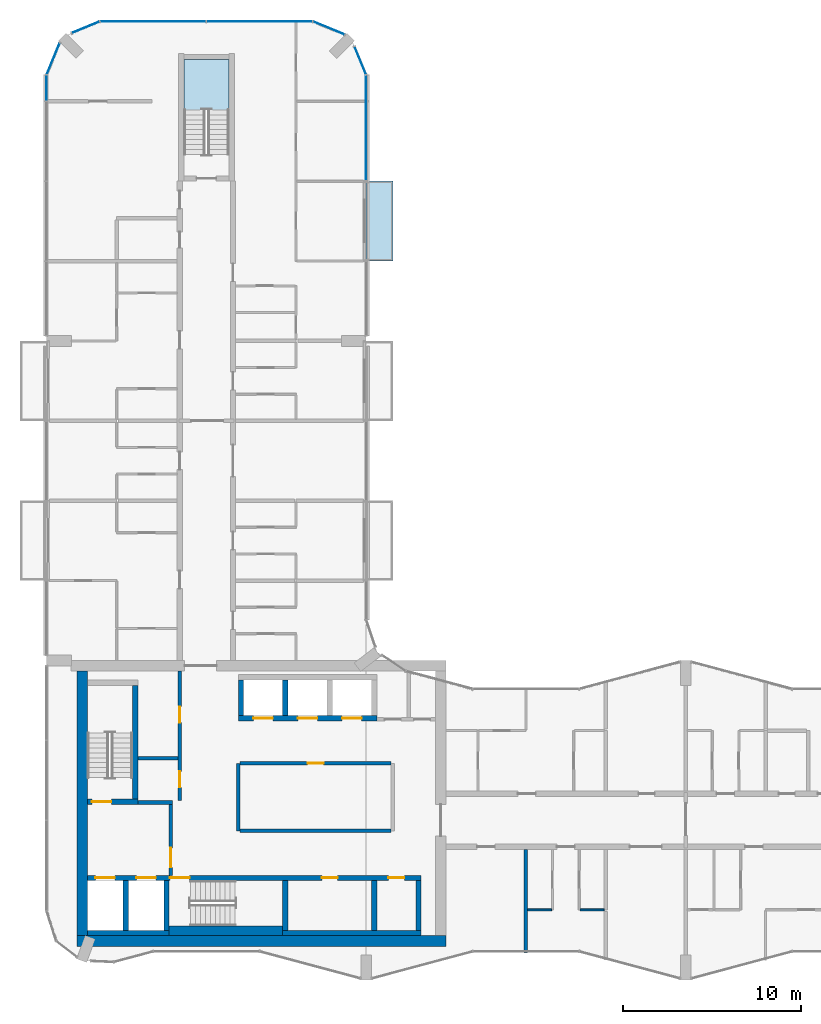
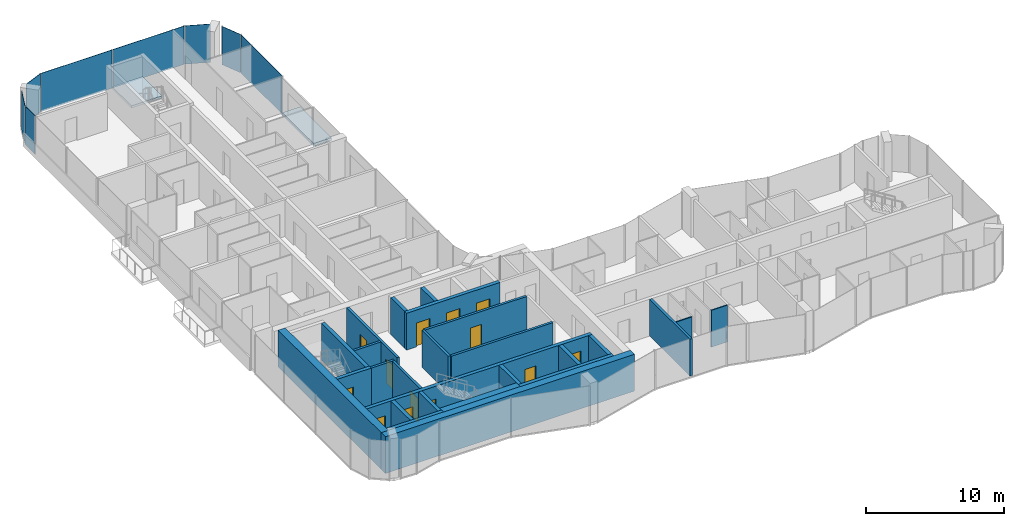
# One storey, part 9 of 17: 26 walls, 13 doors, 8 plates, 2 slabs, 13 openings, 8 elements without a shape of their own.
"""IFC4 building model written with IfcOpenShell, lengths in metres."""

from ifc_helpers import new_model, si_unit, direction, frame, frame_2d, origin, origin_2d, place, context, subcontext, project, spatial, polyline, rectangle, outline, extrude, material, layer, layer_set, type_object, element, fill, aggregate, save


model = new_model("IFC4")

# Units and contexts
model_context = context("Model", 3, precision=1e-05, world=origin(), true_north=direction((0.0, 1.0)))
body_context = subcontext(model_context, "Body", "Model", "MODEL_VIEW")
ifc_project = project(units=[si_unit("LENGTHUNIT", "METRE"), si_unit("AREAUNIT", "SQUARE_METRE"), si_unit("VOLUMEUNIT", "CUBIC_METRE"), si_unit("PLANEANGLEUNIT", "RADIAN"), si_unit("MASSUNIT", "GRAM", prefix="KILO")], contexts=[model_context])

# Site, building, storey
site_placement = place(None, origin())
site = spatial("IfcSite", under=ifc_project, at=site_placement, CompositionType="ELEMENT")
building_placement = place(site_placement, origin())
building = spatial("IfcBuilding", under=site, at=building_placement, Name="Plateau Cross Towers", CompositionType="ELEMENT")
storey_placement = place(building_placement, frame((0.0, 0.0, 142.89990234375)))
storey = spatial("IfcBuildingStorey", under=building, at=storey_placement, Name="L36", CompositionType="ELEMENT", Elevation=142.89990234375)

# Slab
ifc_material_1 = material(Name="Concrete C40/50", Category="concrete")
ifc_layer_1 = layer(ifc_material_1, 0.25)
ifc_layer_set_1 = layer_set([ifc_layer_1], Name="Concrete C40/50")
slab_type_1 = type_object("IfcSlabType", Name="Balcony slab 250", PredefinedType="FLOOR", material=ifc_layer_set_1)
slab_1_placement = place(storey_placement, frame((0.0, 0.0, -0.25)))
element("IfcSlab", 1, at=slab_1_placement, inside=storey, type_object=slab_type_1, Name="Balcony slab A-BAL-L36-05", PredefinedType="FLOOR", context=body_context, shape_type="SweptSolid", body=[
    extrude(outline(polyline([(19.5, 40.5), (19.5, 45.0), (18.0, 45.0), (18.0, 40.5), (19.5, 40.5)])), origin(), (0.0, 0.0, 1.0), 0.25),
])

# Curtain wall, plate
ifc_material_2 = material(Name="Dark low-iron glass", Category="glass")
ifc_layer_2 = layer(ifc_material_2, 0.239990234375)
ifc_layer_set_2 = layer_set([ifc_layer_2], Name="Dark low-iron glass")
curtain_wall_type = type_object("IfcCurtainWallType", Name="Curtain wall flush unitised CW-B", PredefinedType="NOTDEFINED", material=ifc_layer_set_2)
curtain_wall_1_placement = place(storey_placement, origin())
curtain_wall_1 = element("IfcCurtainWall", 2, at=curtain_wall_1_placement, inside=storey, type_object=curtain_wall_type, Name="ENV/A/L36/A180_450", PredefinedType="NOTDEFINED")
ifc_layer_3 = layer(ifc_material_2, 0.031982421875)
ifc_layer_set_3 = layer_set([ifc_layer_3], Name="Dark low-iron glass")
plate_type = type_object("IfcPlateType", Name="Glass panel 32 flush unitised", PredefinedType="CURTAIN_PANEL", material=ifc_layer_set_3)
plate_1_placement = place(storey_placement, frame((18.0, 48.0048828125, -0.1298828125), z_axis=(0.0, 0.0, 1.0), x_axis=(0.0, 1.0, 0.0)))
plate_1 = element("IfcPlate", 3, at=plate_1_placement, type_object=plate_type, Name="CW-B panel 1", PredefinedType="CURTAIN_PANEL", context=body_context, shape_type="SweptSolid", body=[
    extrude(rectangle(XDim=5.929931640625, YDim=0.031982421875, at=origin_2d()), origin(), (0.0, 0.0, 1.0), 3.3798828125),
])
aggregate(curtain_wall_1, [plate_1])

curtain_wall_2_placement = place(storey_placement, origin())
curtain_wall_2 = element("IfcCurtainWall", 4, at=curtain_wall_2_placement, inside=storey, type_object=curtain_wall_type, Name="ENV/A/L36/A180_510", PredefinedType="NOTDEFINED")
plate_2_placement = place(storey_placement, frame((17.66943359375, 51.79833984375, -0.1298828125), z_axis=(0.0, 0.0, 1.0), x_axis=(-0.382683612978, 0.923879457699, 0.0)))
plate_2 = element("IfcPlate", 5, at=plate_2_placement, type_object=plate_type, Name="CW-B panel 1", PredefinedType="CURTAIN_PANEL", context=body_context, shape_type="SweptSolid", body=[
    extrude(rectangle(XDim=1.668212890625, YDim=0.031982421875, at=origin_2d()), origin(), (0.0, 0.0, 1.0), 3.3798828125),
])
aggregate(curtain_wall_2, [plate_2])

curtain_wall_3_placement = place(storey_placement, origin())
curtain_wall_3 = element("IfcCurtainWall", 6, at=curtain_wall_3_placement, inside=storey, type_object=curtain_wall_type, Name="ENV/A/L36/A168_533", PredefinedType="NOTDEFINED")
plate_3_placement = place(storey_placement, frame((15.90283203125, 53.6259765625, -0.1298828125), z_axis=(0.0, 0.0, 1.0), x_axis=(-0.923879457699, 0.382683612978, 0.0)))
plate_3 = element("IfcPlate", 7, at=plate_3_placement, type_object=plate_type, Name="CW-B panel 1", PredefinedType="CURTAIN_PANEL", context=body_context, shape_type="SweptSolid", body=[
    extrude(rectangle(XDim=1.894775390625, YDim=0.031982421875, at=origin_2d()), origin(), (0.0, 0.0, 1.0), 3.3798828125),
])
aggregate(curtain_wall_3, [plate_3])

# Curtain wall, plates
curtain_wall_4_placement = place(storey_placement, origin())
curtain_wall_4 = element("IfcCurtainWall", 8, at=curtain_wall_4_placement, inside=storey, type_object=curtain_wall_type, Name="ENV/A/L36/A150_540", PredefinedType="NOTDEFINED")
plate_4_placement = place(storey_placement, frame((12.0, 54.0, -0.1298828125), z_axis=(0.0, 0.0, 1.0), x_axis=(-1.0, 0.0, 0.0)))
plate_4 = element("IfcPlate", 9, at=plate_4_placement, type_object=plate_type, Name="CW-B panel 1", PredefinedType="CURTAIN_PANEL", context=body_context, shape_type="SweptSolid", body=[
    extrude(rectangle(XDim=5.93994140625, YDim=0.031982421875, at=origin_2d()), origin(), (0.0, 0.0, 1.0), 3.3798828125),
])
plate_5_placement = place(storey_placement, frame((6.0, 54.0, -0.1298828125), z_axis=(0.0, 0.0, 1.0), x_axis=(-1.0, 0.0, 0.0)))
plate_5 = element("IfcPlate", 10, at=plate_5_placement, type_object=plate_type, Name="CW-B panel 2", PredefinedType="CURTAIN_PANEL", context=body_context, shape_type="SweptSolid", body=[
    extrude(rectangle(XDim=5.93994140625, YDim=0.031982421875, at=origin_2d()), origin(), (0.0, 0.0, 1.0), 3.3798828125),
])
aggregate(curtain_wall_4, [plate_4, plate_5])

# Curtain wall, plate
curtain_wall_5_placement = place(storey_placement, origin())
curtain_wall_5 = element("IfcCurtainWall", 11, at=curtain_wall_5_placement, inside=storey, type_object=curtain_wall_type, Name="ENV/A/L36/A30_540", PredefinedType="NOTDEFINED")
plate_6_placement = place(storey_placement, frame((2.20166015625, 53.66943359375, -0.1298828125), z_axis=(0.0, 0.0, 1.0), x_axis=(-0.923879457699, -0.382683612978, 0.0)))
plate_6 = element("IfcPlate", 12, at=plate_6_placement, type_object=plate_type, Name="CW-B panel 1", PredefinedType="CURTAIN_PANEL", context=body_context, shape_type="SweptSolid", body=[
    extrude(rectangle(XDim=1.668212890625, YDim=0.031982421875, at=origin_2d()), origin(), (0.0, 0.0, 1.0), 3.3798828125),
])
aggregate(curtain_wall_5, [plate_6])

curtain_wall_6_placement = place(storey_placement, origin())
curtain_wall_6 = element("IfcCurtainWall", 13, at=curtain_wall_6_placement, inside=storey, type_object=curtain_wall_type, Name="ENV/A/L36/A7_528", PredefinedType="NOTDEFINED")
plate_7_placement = place(storey_placement, frame((0.3740234375, 51.90283203125, -0.1298828125), z_axis=(0.0, 0.0, 1.0), x_axis=(-0.382683612978, -0.923879457699, 0.0)))
plate_7 = element("IfcPlate", 14, at=plate_7_placement, type_object=plate_type, Name="CW-B panel 1", PredefinedType="CURTAIN_PANEL", context=body_context, shape_type="SweptSolid", body=[
    extrude(rectangle(XDim=1.894775390625, YDim=0.031982421875, at=origin_2d()), origin(), (0.0, 0.0, 1.0), 3.3798828125),
])
aggregate(curtain_wall_6, [plate_7])

curtain_wall_7_placement = place(storey_placement, origin())
curtain_wall_7 = element("IfcCurtainWall", 15, at=curtain_wall_7_placement, inside=storey, type_object=curtain_wall_type, Name="ENV/A/L36/A0_510", PredefinedType="NOTDEFINED")
plate_8_placement = place(storey_placement, frame((0.0, 50.25, -0.1298828125), z_axis=(0.0, 0.0, 1.0), x_axis=(0.0, -1.0, 0.0)))
plate_8 = element("IfcPlate", 16, at=plate_8_placement, type_object=plate_type, Name="CW-B panel 1", PredefinedType="CURTAIN_PANEL", context=body_context, shape_type="SweptSolid", body=[
    extrude(rectangle(XDim=1.43994140625, YDim=0.031982421875, at=origin_2d()), origin(), (0.0, 0.0, 1.0), 3.3798828125),
])
aggregate(curtain_wall_7, [plate_8])

# Stair, slab
stair_type = type_object("IfcStairType", Name="ST-TWR", PredefinedType="HALF_TURN_STAIR", material=ifc_material_1)
stair_placement = place(storey_placement, origin())
stair = element("IfcStair", 17, at=stair_placement, inside=storey, type_object=stair_type, Name="L36 Protected Exit Stair N", PredefinedType="HALF_TURN_STAIR")
ifc_layer_4 = layer(ifc_material_1, 0.199951171875)
ifc_layer_set_4 = layer_set([ifc_layer_4], Name="Concrete C40/50")
slab_type_2 = type_object("IfcSlabType", Name="SL-LANDING", PredefinedType="LANDING", material=ifc_layer_set_4)
slab_2_placement = place(storey_placement, frame((0.0, 0.0, 1.550048828125)))
slab_2 = element("IfcSlab", 18, at=slab_2_placement, type_object=slab_type_2, Name="ES-N landing 1", PredefinedType="LANDING", context=body_context, shape_type="SweptSolid", body=[
    extrude(outline(polyline([(10.27490234375, 49.02001953125), (10.27490234375, 51.85009765625), (7.72509765625, 51.85009765625), (7.72509765625, 49.02001953125), (10.27490234375, 49.02001953125)])), origin(), (0.0, 0.0, 1.0), 0.199951171875),
])
aggregate(stair, [slab_2])

# Wall, opening, door
ifc_material_3 = material(Name="Concrete block, plastered both sides", Category="concrete")
ifc_layer_5 = layer(ifc_material_3, 0.199951171875)
ifc_layer_set_5 = layer_set([ifc_layer_5], Name="Concrete block, plastered both sides")
wall_type_1 = type_object("IfcWallType", Name="Core partition 200", PredefinedType="PARTITIONING", material=ifc_layer_set_5)
wall_1_placement = place(storey_placement, frame((7.0, 5.89990234375, 0.0), z_axis=(0.0, 0.0, 1.0), x_axis=(0.0, 1.0, 0.0)))
wall_1 = element("IfcWall", 19, at=wall_1_placement, inside=storey, type_object=wall_type_1, Name="Core partition", PredefinedType="PARTITIONING", context=body_context, shape_type="SweptSolid", body=[
    extrude(rectangle(XDim=4.0, YDim=0.199951171875, at=frame_2d((2.0, 0.0))), origin(), (0.0, 0.0, 1.0), 3.25),
])
opening_1_placement = place(wall_1_placement, frame((0.449951171875, 0.0, 0.0)))
opening_1 = element("IfcOpeningElement", 20, at=opening_1_placement, cuts=wall_1, Name="Opening FFD", PredefinedType="OPENING", context=body_context, shape_type="SweptSolid", body=[
    extrude(rectangle(XDim=1.10009765625, YDim=2.10009765625, at=frame_2d((0.550048828125, 1.050048828125))), frame((0.0, 0.10986328125, 0.0), z_axis=(0.0, -1.0, 0.0), x_axis=(1.0, 0.0, 0.0)), (0.0, 0.0, 1.0), 0.219970703125),
])
ifc_material_4 = material(Name="Steel, fire-resisting leaf", Category="steel")
door_type_1 = type_object("IfcDoorType", Name="Firefighting lobby door 1100", OperationType="NOTDEFINED", PredefinedType="DOOR", material=ifc_material_4)
door_1_placement = place(opening_1_placement, origin())
door_1 = element("IfcDoor", 21, at=door_1_placement, inside=storey, type_object=door_type_1, Name="Firefighting lobby door FFD", OperationType="SINGLE_SWING_LEFT", OverallHeight=2.10009765625, OverallWidth=1.10009765625, PredefinedType="DOOR", context=body_context, shape_type="SweptSolid", body=[
    extrude(rectangle(XDim=1.10009765625, YDim=2.10009765625, at=frame_2d((0.550048828125, 1.050048828125))), frame((0.0, 0.02490234375, 0.0), z_axis=(0.0, -1.0, 0.0), x_axis=(1.0, 0.0, 0.0)), (0.0, 0.0, 1.0), 0.050048828125),
])
fill(opening_1, door_1)

# Walls
wall_2_placement = place(storey_placement, frame((5.14990234375, 10.0, 0.0), z_axis=(0.0, 0.0, 1.0), x_axis=(1.0, 0.0, 0.0)))
element("IfcWall", 22, at=wall_2_placement, inside=storey, type_object=wall_type_1, Name="Core partition", PredefinedType="PARTITIONING", context=body_context, shape_type="SweptSolid", body=[
    extrude(rectangle(XDim=1.9501953125, YDim=0.199951171875, at=frame_2d((0.97509765625, 0.0))), origin(), (0.0, 0.0, 1.0), 3.25),
])
wall_3_placement = place(storey_placement, frame((10.800048828125, 8.39990234375, 0.0), z_axis=(0.0, 0.0, 1.0), x_axis=(0.0, 1.0, 0.0)))
element("IfcWall", 23, at=wall_3_placement, inside=storey, type_object=wall_type_1, Name="Core partition", PredefinedType="PARTITIONING", context=body_context, shape_type="SweptSolid", body=[
    extrude(rectangle(XDim=3.800048828125, YDim=0.199951171875, at=frame_2d((1.89990234375, 0.0))), origin(), (0.0, 0.0, 1.0), 3.25),
])
wall_4_placement = place(storey_placement, frame((10.89990234375, 8.39990234375, 0.0), z_axis=(0.0, 0.0, 1.0), x_axis=(1.0, 0.0, 0.0)))
element("IfcWall", 24, at=wall_4_placement, inside=storey, type_object=wall_type_1, Name="Core partition", PredefinedType="PARTITIONING", context=body_context, shape_type="SweptSolid", body=[
    extrude(rectangle(XDim=8.5, YDim=0.199951171875, at=frame_2d((4.25, 0.0))), origin(), (0.0, 0.0, 1.0), 3.25),
])

# Wall, opening, door
wall_5_placement = place(storey_placement, frame((10.89990234375, 12.199951171875, 0.0), z_axis=(0.0, 0.0, 1.0), x_axis=(1.0, 0.0, 0.0)))
wall_5 = element("IfcWall", 25, at=wall_5_placement, inside=storey, type_object=wall_type_1, Name="Core partition", PredefinedType="PARTITIONING", context=body_context, shape_type="SweptSolid", body=[
    extrude(rectangle(XDim=8.5, YDim=0.199951171875, at=frame_2d((4.25, 0.0))), origin(), (0.0, 0.0, 1.0), 3.25),
])
opening_2_placement = place(wall_5_placement, frame((3.800048828125, 0.0, 0.0)))
opening_2 = element("IfcOpeningElement", 26, at=opening_2_placement, cuts=wall_5, Name="Opening RD1", PredefinedType="OPENING", context=body_context, shape_type="SweptSolid", body=[
    extrude(rectangle(XDim=0.89990234375, YDim=2.10009765625, at=frame_2d((0.449951171875, 1.050048828125))), frame((0.0, 0.10986328125, 0.0), z_axis=(0.0, -1.0, 0.0), x_axis=(1.0, 0.0, 0.0)), (0.0, 0.0, 1.0), 0.219970703125),
])
ifc_material_5 = material(Name="Timber, fire-resisting leaf", Category="wood")
door_type_2 = type_object("IfcDoorType", Name="Core service door 900", OperationType="NOTDEFINED", PredefinedType="DOOR", material=ifc_material_5)
door_2_placement = place(opening_2_placement, origin())
door_2 = element("IfcDoor", 27, at=door_2_placement, inside=storey, type_object=door_type_2, Name="Core service door RD1", OperationType="SINGLE_SWING_LEFT", OverallHeight=2.10009765625, OverallWidth=0.89990234375, PredefinedType="DOOR", context=body_context, shape_type="SweptSolid", body=[
    extrude(rectangle(XDim=0.89990234375, YDim=2.10009765625, at=frame_2d((0.449951171875, 1.050048828125))), frame((0.0, 0.02490234375, 0.0), z_axis=(0.0, -1.0, 0.0), x_axis=(1.0, 0.0, 0.0)), (0.0, 0.0, 1.0), 0.050048828125),
])
fill(opening_2, door_2)

# Wall, openings, doors
wall_6_placement = place(storey_placement, frame((7.5, 10.10009765625, 0.0), z_axis=(0.0, 0.0, 1.0), x_axis=(0.0, 1.0, 0.0)))
wall_6 = element("IfcWall", 28, at=wall_6_placement, inside=storey, type_object=wall_type_1, Name="Core partition", PredefinedType="PARTITIONING", context=body_context, shape_type="SweptSolid", body=[
    extrude(rectangle(XDim=7.2998046875, YDim=0.199951171875, at=frame_2d((3.64990234375, 0.0))), origin(), (0.0, 0.0, 1.0), 3.25),
])
opening_3_placement = place(wall_6_placement, frame((0.75, 0.0, 0.0)))
opening_3 = element("IfcOpeningElement", 29, at=opening_3_placement, cuts=wall_6, Name="Opening RD1", PredefinedType="OPENING", context=body_context, shape_type="SweptSolid", body=[
    extrude(rectangle(XDim=0.89990234375, YDim=2.10009765625, at=frame_2d((0.449951171875, 1.050048828125))), frame((0.0, 0.10986328125, 0.0), z_axis=(0.0, -1.0, 0.0), x_axis=(1.0, 0.0, 0.0)), (0.0, 0.0, 1.0), 0.219970703125),
])
opening_4_placement = place(wall_6_placement, frame((4.39990234375, 0.0, 0.0)))
opening_4 = element("IfcOpeningElement", 30, at=opening_4_placement, cuts=wall_6, Name="Opening RD1", PredefinedType="OPENING", context=body_context, shape_type="SweptSolid", body=[
    extrude(rectangle(XDim=0.89990234375, YDim=2.10009765625, at=frame_2d((0.449951171875, 1.050048828125))), frame((0.0, 0.10986328125, 0.0), z_axis=(0.0, -1.0, 0.0), x_axis=(1.0, 0.0, 0.0)), (0.0, 0.0, 1.0), 0.219970703125),
])
door_3_placement = place(opening_3_placement, origin())
door_3 = element("IfcDoor", 31, at=door_3_placement, inside=storey, type_object=door_type_2, Name="Core service door RD1", OperationType="SINGLE_SWING_RIGHT", OverallHeight=2.10009765625, OverallWidth=0.89990234375, PredefinedType="DOOR", context=body_context, shape_type="SweptSolid", body=[
    extrude(rectangle(XDim=0.89990234375, YDim=2.10009765625, at=frame_2d((0.449951171875, 1.050048828125))), frame((0.0, 0.02490234375, 0.0), z_axis=(0.0, -1.0, 0.0), x_axis=(1.0, 0.0, 0.0)), (0.0, 0.0, 1.0), 0.050048828125),
])
fill(opening_3, door_3)
door_4_placement = place(opening_4_placement, origin())
door_4 = element("IfcDoor", 32, at=door_4_placement, inside=storey, type_object=door_type_2, Name="Core service door RD1", OperationType="SINGLE_SWING_RIGHT", OverallHeight=2.10009765625, OverallWidth=0.89990234375, PredefinedType="DOOR", context=body_context, shape_type="SweptSolid", body=[
    extrude(rectangle(XDim=0.89990234375, YDim=2.10009765625, at=frame_2d((0.449951171875, 1.050048828125))), frame((0.0, 0.02490234375, 0.0), z_axis=(0.0, -1.0, 0.0), x_axis=(1.0, 0.0, 0.0)), (0.0, 0.0, 1.0), 0.050048828125),
])
fill(opening_4, door_4)

# Walls
wall_7_placement = place(storey_placement, frame((5.14990234375, 12.5, 0.0), z_axis=(0.0, 0.0, 1.0), x_axis=(1.0, 0.0, 0.0)))
element("IfcWall", 33, at=wall_7_placement, inside=storey, type_object=wall_type_1, Name="Core partition", PredefinedType="PARTITIONING", context=body_context, shape_type="SweptSolid", body=[
    extrude(rectangle(XDim=2.25, YDim=0.199951171875, at=frame_2d((1.125, 0.0))), origin(), (0.0, 0.0, 1.0), 3.25),
])
ifc_material_6 = material(Name="Concrete C60/75", Category="concrete")
ifc_layer_6 = layer(ifc_material_6, 0.300048828125)
ifc_layer_set_6 = layer_set([ifc_layer_6], Name="Concrete C60/75")
wall_type_2 = type_object("IfcWallType", Name="Core shaft wall 300", PredefinedType="SHEAR", material=ifc_layer_set_6)
wall_8_placement = place(storey_placement, frame((2.300048828125, 2.64990234375, 0.0), z_axis=(0.0, 0.0, 1.0), x_axis=(1.0, 0.0, 0.0)))
element("IfcWall", 34, at=wall_8_placement, inside=storey, type_object=wall_type_2, Name="A-sb-back1@L36", PredefinedType="SHEAR", context=body_context, shape_type="SweptSolid", body=[
    extrude(rectangle(XDim=4.599853515625, YDim=0.300048828125, at=frame_2d((2.2998046875, 0.0))), origin(), (0.0, 0.0, 1.0), 3.25),
])
wall_9_placement = place(storey_placement, frame((13.300048828125, 2.64990234375, 0.0), z_axis=(0.0, 0.0, 1.0), x_axis=(1.0, 0.0, 0.0)))
element("IfcWall", 35, at=wall_9_placement, inside=storey, type_object=wall_type_2, Name="A-sb-back3@L36", PredefinedType="SHEAR", context=body_context, shape_type="SweptSolid", body=[
    extrude(rectangle(XDim=7.800048828125, YDim=0.300048828125, at=frame_2d((3.89990234375, 0.0))), origin(), (0.0, 0.0, 1.0), 3.25),
])
for number, where, z_axis, x_axis, name in (
    (36, (4.449951171875, 2.800048828125, 0.0), (0.0, 0.0, 1.0), (0.0, 1.0, 0.0), "A-sb-v1@L36"),
    (37, (6.75, 2.800048828125, 0.0), (0.0, 0.0, 1.0), (0.0, 1.0, 0.0), "A-sb-v2@L36"),
    (38, (13.449951171875, 2.800048828125, 0.0), (0.0, 0.0, 1.0), (0.0, 1.0, 0.0), "A-sb-v3@L36"),
    (39, (18.449951171875, 2.800048828125, 0.0), (0.0, 0.0, 1.0), (0.0, 1.0, 0.0), "A-sb-v5@L36"),
    (40, (20.949951171875, 2.800048828125, 0.0), (0.0, 0.0, 1.0), (0.0, 1.0, 0.0), "A-sb-v6@L36"),
):
    element("IfcWall", number, at=place(storey_placement, frame(where, z_axis=z_axis, x_axis=x_axis)), inside=storey, type_object=wall_type_2, Name=name, PredefinedType="SHEAR", context=body_context, shape_type="SweptSolid", body=[
        extrude(rectangle(XDim=2.800048828125, YDim=0.300048828125, at=frame_2d((1.39990234375, 0.0))), origin(), (0.0, 0.0, 1.0), 3.25),
    ])

# Wall, openings, doors
wall_10_placement = place(storey_placement, frame((2.300048828125, 5.75, 0.0), z_axis=(0.0, 0.0, 1.0), x_axis=(1.0, 0.0, 0.0)))
wall_10 = element("IfcWall", 41, at=wall_10_placement, inside=storey, type_object=wall_type_2, Name="A-sb-front@L36", PredefinedType="SHEAR", context=body_context, shape_type="SweptSolid", body=[
    extrude(rectangle(XDim=18.800048828125, YDim=0.300048828125, at=frame_2d((9.39990234375, 0.0))), origin(), (0.0, 0.0, 1.0), 3.25),
])
opening_5_placement = place(wall_10_placement, frame((4.64990234375, 0.0, 0.0)))
opening_5 = element("IfcOpeningElement", 42, at=opening_5_placement, cuts=wall_10, Name="Opening SD", PredefinedType="OPENING", context=body_context, shape_type="SweptSolid", body=[
    extrude(rectangle(XDim=1.10009765625, YDim=2.10009765625, at=frame_2d((0.550048828125, 1.050048828125))), frame((0.0, 0.159912109375, 0.0), z_axis=(0.0, -1.0, 0.0), x_axis=(1.0, 0.0, 0.0)), (0.0, 0.0, 1.0), 0.320068359375),
])
opening_6_placement = place(wall_10_placement, frame((0.449951171875, 0.0, 0.0)))
opening_6 = element("IfcOpeningElement", 43, at=opening_6_placement, cuts=wall_10, Name="Opening LD", PredefinedType="OPENING", context=body_context, shape_type="SweptSolid", body=[
    extrude(rectangle(XDim=1.10009765625, YDim=2.10009765625, at=frame_2d((0.550048828125, 1.050048828125))), frame((0.0, 0.159912109375, 0.0), z_axis=(0.0, -1.0, 0.0), x_axis=(1.0, 0.0, 0.0)), (0.0, 0.0, 1.0), 0.320068359375),
])
opening_7_placement = place(wall_10_placement, frame((2.75, 0.0, 0.0)))
opening_7 = element("IfcOpeningElement", 44, at=opening_7_placement, cuts=wall_10, Name="Opening LD", PredefinedType="OPENING", context=body_context, shape_type="SweptSolid", body=[
    extrude(rectangle(XDim=1.10009765625, YDim=2.10009765625, at=frame_2d((0.550048828125, 1.050048828125))), frame((0.0, 0.159912109375, 0.0), z_axis=(0.0, -1.0, 0.0), x_axis=(1.0, 0.0, 0.0)), (0.0, 0.0, 1.0), 0.320068359375),
])
opening_8_placement = place(wall_10_placement, frame((13.199951171875, 0.0, 0.0)))
opening_8 = element("IfcOpeningElement", 45, at=opening_8_placement, cuts=wall_10, Name="Opening RD2", PredefinedType="OPENING", context=body_context, shape_type="SweptSolid", body=[
    extrude(rectangle(XDim=0.89990234375, YDim=2.10009765625, at=frame_2d((0.449951171875, 1.050048828125))), frame((0.0, 0.159912109375, 0.0), z_axis=(0.0, -1.0, 0.0), x_axis=(1.0, 0.0, 0.0)), (0.0, 0.0, 1.0), 0.320068359375),
])
opening_9_placement = place(wall_10_placement, frame((16.949951171875, 0.0, 0.0)))
opening_9 = element("IfcOpeningElement", 46, at=opening_9_placement, cuts=wall_10, Name="Opening RD2", PredefinedType="OPENING", context=body_context, shape_type="SweptSolid", body=[
    extrude(rectangle(XDim=0.89990234375, YDim=2.10009765625, at=frame_2d((0.449951171875, 1.050048828125))), frame((0.0, 0.159912109375, 0.0), z_axis=(0.0, -1.0, 0.0), x_axis=(1.0, 0.0, 0.0)), (0.0, 0.0, 1.0), 0.320068359375),
])
door_type_3 = type_object("IfcDoorType", Name="Core riser door 900", OperationType="NOTDEFINED", PredefinedType="DOOR", material=ifc_material_4)
door_5_placement = place(opening_8_placement, origin())
door_5 = element("IfcDoor", 47, at=door_5_placement, inside=storey, type_object=door_type_3, Name="Core riser door RD2", OperationType="SINGLE_SWING_LEFT", OverallHeight=2.10009765625, OverallWidth=0.89990234375, PredefinedType="DOOR", context=body_context, shape_type="SweptSolid", body=[
    extrude(rectangle(XDim=0.89990234375, YDim=2.10009765625, at=frame_2d((0.449951171875, 1.050048828125))), frame((0.0, 0.02490234375, 0.0), z_axis=(0.0, -1.0, 0.0), x_axis=(1.0, 0.0, 0.0)), (0.0, 0.0, 1.0), 0.050048828125),
])
fill(opening_8, door_5)
door_6_placement = place(opening_9_placement, origin())
door_6 = element("IfcDoor", 48, at=door_6_placement, inside=storey, type_object=door_type_3, Name="Core riser door RD2", OperationType="SINGLE_SWING_LEFT", OverallHeight=2.10009765625, OverallWidth=0.89990234375, PredefinedType="DOOR", context=body_context, shape_type="SweptSolid", body=[
    extrude(rectangle(XDim=0.89990234375, YDim=2.10009765625, at=frame_2d((0.449951171875, 1.050048828125))), frame((0.0, 0.02490234375, 0.0), z_axis=(0.0, -1.0, 0.0), x_axis=(1.0, 0.0, 0.0)), (0.0, 0.0, 1.0), 0.050048828125),
])
fill(opening_9, door_6)
ifc_material_7 = material(Name="Stainless steel, fire-resisting sliding leaves", Category="steel")
door_type_4 = type_object("IfcDoorType", Name="Lift landing door 1100", OperationType="NOTDEFINED", PredefinedType="DOOR", material=ifc_material_7)
door_7_placement = place(opening_6_placement, origin())
door_7 = element("IfcDoor", 49, at=door_7_placement, inside=storey, type_object=door_type_4, Name="Lift landing door LD", OperationType="DOUBLE_DOOR_SLIDING", OverallHeight=2.10009765625, OverallWidth=1.10009765625, PredefinedType="DOOR", context=body_context, shape_type="SweptSolid", body=[
    extrude(rectangle(XDim=1.10009765625, YDim=2.10009765625, at=frame_2d((0.550048828125, 1.050048828125))), frame((0.0, 0.02490234375, 0.0), z_axis=(0.0, -1.0, 0.0), x_axis=(1.0, 0.0, 0.0)), (0.0, 0.0, 1.0), 0.050048828125),
])
fill(opening_6, door_7)
door_8_placement = place(opening_7_placement, origin())
door_8 = element("IfcDoor", 50, at=door_8_placement, inside=storey, type_object=door_type_4, Name="Lift landing door LD", OperationType="DOUBLE_DOOR_SLIDING", OverallHeight=2.10009765625, OverallWidth=1.10009765625, PredefinedType="DOOR", context=body_context, shape_type="SweptSolid", body=[
    extrude(rectangle(XDim=1.10009765625, YDim=2.10009765625, at=frame_2d((0.550048828125, 1.050048828125))), frame((0.0, 0.02490234375, 0.0), z_axis=(0.0, -1.0, 0.0), x_axis=(1.0, 0.0, 0.0)), (0.0, 0.0, 1.0), 0.050048828125),
])
fill(opening_7, door_8)
door_type_5 = type_object("IfcDoorType", Name="Stair door 1100", OperationType="NOTDEFINED", PredefinedType="DOOR", material=ifc_material_4)
door_9_placement = place(opening_5_placement, origin())
door_9 = element("IfcDoor", 51, at=door_9_placement, inside=storey, type_object=door_type_5, Name="Stair door SD", OperationType="SINGLE_SWING_LEFT", OverallHeight=2.10009765625, OverallWidth=1.10009765625, PredefinedType="DOOR", context=body_context, shape_type="SweptSolid", body=[
    extrude(rectangle(XDim=1.10009765625, YDim=2.10009765625, at=frame_2d((0.550048828125, 1.050048828125))), frame((0.0, 0.02490234375, 0.0), z_axis=(0.0, -1.0, 0.0), x_axis=(1.0, 0.0, 0.0)), (0.0, 0.0, 1.0), 0.050048828125),
])
fill(opening_5, door_9)

# Wall, opening, door
wall_11_placement = place(storey_placement, frame((2.300048828125, 10.050048828125, 0.0), z_axis=(0.0, 0.0, 1.0), x_axis=(1.0, 0.0, 0.0)))
wall_11 = element("IfcWall", 52, at=wall_11_placement, inside=storey, type_object=wall_type_2, Name="A-st1-S@L36", PredefinedType="SHEAR", context=body_context, shape_type="SweptSolid", body=[
    extrude(rectangle(XDim=2.849853515625, YDim=0.300048828125, at=frame_2d((1.4248046875, 0.0))), origin(), (0.0, 0.0, 1.0), 3.25),
])
opening_10_placement = place(wall_11_placement, frame((0.25, 0.0, 0.0)))
opening_10 = element("IfcOpeningElement", 53, at=opening_10_placement, cuts=wall_11, Name="Opening SD", PredefinedType="OPENING", context=body_context, shape_type="SweptSolid", body=[
    extrude(rectangle(XDim=1.10009765625, YDim=2.10009765625, at=frame_2d((0.550048828125, 1.050048828125))), frame((0.0, 0.159912109375, 0.0), z_axis=(0.0, -1.0, 0.0), x_axis=(1.0, 0.0, 0.0)), (0.0, 0.0, 1.0), 0.320068359375),
])
door_10_placement = place(opening_10_placement, origin())
door_10 = element("IfcDoor", 54, at=door_10_placement, inside=storey, type_object=door_type_5, Name="Stair door SD", OperationType="SINGLE_SWING_RIGHT", OverallHeight=2.10009765625, OverallWidth=1.10009765625, PredefinedType="DOOR", context=body_context, shape_type="SweptSolid", body=[
    extrude(rectangle(XDim=1.10009765625, YDim=2.10009765625, at=frame_2d((0.550048828125, 1.050048828125))), frame((0.0, 0.02490234375, 0.0), z_axis=(0.0, -1.0, 0.0), x_axis=(1.0, 0.0, 0.0)), (0.0, 0.0, 1.0), 0.050048828125),
])
fill(opening_10, door_10)

# Wall
wall_12_placement = place(storey_placement, frame((5.0, 10.199951171875, 0.0), z_axis=(0.0, 0.0, 1.0), x_axis=(0.0, 1.0, 0.0)))
element("IfcWall", 55, at=wall_12_placement, inside=storey, type_object=wall_type_2, Name="A-st1-E@L36", PredefinedType="SHEAR", context=body_context, shape_type="SweptSolid", body=[
    extrude(rectangle(XDim=6.400146484375, YDim=0.300048828125, at=frame_2d((3.2001953125, 0.0))), origin(), (0.0, 0.0, 1.0), 3.25),
])

# Wall, openings, doors
wall_13_placement = place(storey_placement, frame((10.800048828125, 14.75, 0.0), z_axis=(0.0, 0.0, 1.0), x_axis=(1.0, 0.0, 0.0)))
wall_13 = element("IfcWall", 56, at=wall_13_placement, inside=storey, type_object=wall_type_2, Name="A-nb-front@L36", PredefinedType="SHEAR", context=body_context, shape_type="SweptSolid", body=[
    extrude(rectangle(XDim=7.800048828125, YDim=0.300048828125, at=frame_2d((3.89990234375, 0.0))), origin(), (0.0, 0.0, 1.0), 3.25),
])
opening_11_placement = place(wall_13_placement, frame((0.85009765625, 0.0, 0.0)))
opening_11 = element("IfcOpeningElement", 57, at=opening_11_placement, cuts=wall_13, Name="Opening LD", PredefinedType="OPENING", context=body_context, shape_type="SweptSolid", body=[
    extrude(rectangle(XDim=1.10009765625, YDim=2.10009765625, at=frame_2d((0.550048828125, 1.050048828125))), frame((0.0, 0.159912109375, 0.0), z_axis=(0.0, -1.0, 0.0), x_axis=(1.0, 0.0, 0.0)), (0.0, 0.0, 1.0), 0.320068359375),
])
opening_12_placement = place(wall_13_placement, frame((3.35009765625, 0.0, 0.0)))
opening_12 = element("IfcOpeningElement", 58, at=opening_12_placement, cuts=wall_13, Name="Opening LD", PredefinedType="OPENING", context=body_context, shape_type="SweptSolid", body=[
    extrude(rectangle(XDim=1.10009765625, YDim=2.10009765625, at=frame_2d((0.550048828125, 1.050048828125))), frame((0.0, 0.159912109375, 0.0), z_axis=(0.0, -1.0, 0.0), x_axis=(1.0, 0.0, 0.0)), (0.0, 0.0, 1.0), 0.320068359375),
])
opening_13_placement = place(wall_13_placement, frame((5.85009765625, 0.0, 0.0)))
opening_13 = element("IfcOpeningElement", 59, at=opening_13_placement, cuts=wall_13, Name="Opening LD", PredefinedType="OPENING", context=body_context, shape_type="SweptSolid", body=[
    extrude(rectangle(XDim=1.10009765625, YDim=2.10009765625, at=frame_2d((0.550048828125, 1.050048828125))), frame((0.0, 0.159912109375, 0.0), z_axis=(0.0, -1.0, 0.0), x_axis=(1.0, 0.0, 0.0)), (0.0, 0.0, 1.0), 0.320068359375),
])
door_11_placement = place(opening_11_placement, origin())
door_11 = element("IfcDoor", 60, at=door_11_placement, inside=storey, type_object=door_type_4, Name="Lift landing door LD", OperationType="DOUBLE_DOOR_SLIDING", OverallHeight=2.10009765625, OverallWidth=1.10009765625, PredefinedType="DOOR", context=body_context, shape_type="SweptSolid", body=[
    extrude(rectangle(XDim=1.10009765625, YDim=2.10009765625, at=frame_2d((0.550048828125, 1.050048828125))), frame((0.0, 0.02490234375, 0.0), z_axis=(0.0, -1.0, 0.0), x_axis=(1.0, 0.0, 0.0)), (0.0, 0.0, 1.0), 0.050048828125),
])
fill(opening_11, door_11)
door_12_placement = place(opening_12_placement, origin())
door_12 = element("IfcDoor", 61, at=door_12_placement, inside=storey, type_object=door_type_4, Name="Lift landing door LD", OperationType="DOUBLE_DOOR_SLIDING", OverallHeight=2.10009765625, OverallWidth=1.10009765625, PredefinedType="DOOR", context=body_context, shape_type="SweptSolid", body=[
    extrude(rectangle(XDim=1.10009765625, YDim=2.10009765625, at=frame_2d((0.550048828125, 1.050048828125))), frame((0.0, 0.02490234375, 0.0), z_axis=(0.0, -1.0, 0.0), x_axis=(1.0, 0.0, 0.0)), (0.0, 0.0, 1.0), 0.050048828125),
])
fill(opening_12, door_12)
door_13_placement = place(opening_13_placement, origin())
door_13 = element("IfcDoor", 62, at=door_13_placement, inside=storey, type_object=door_type_4, Name="Lift landing door LD", OperationType="DOUBLE_DOOR_SLIDING", OverallHeight=2.10009765625, OverallWidth=1.10009765625, PredefinedType="DOOR", context=body_context, shape_type="SweptSolid", body=[
    extrude(rectangle(XDim=1.10009765625, YDim=2.10009765625, at=frame_2d((0.550048828125, 1.050048828125))), frame((0.0, 0.02490234375, 0.0), z_axis=(0.0, -1.0, 0.0), x_axis=(1.0, 0.0, 0.0)), (0.0, 0.0, 1.0), 0.050048828125),
])
fill(opening_13, door_13)

# Walls
for number, where, z_axis, x_axis, name in (
    (63, (10.949951171875, 14.89990234375, 0.0), (0.0, 0.0, 1.0), (0.0, 1.0, 0.0), "A-nb-v1@L36"),
    (64, (13.449951171875, 14.89990234375, 0.0), (0.0, 0.0, 1.0), (0.0, 1.0, 0.0), "A-nb-v2@L36"),
):
    element("IfcWall", number, at=place(storey_placement, frame(where, z_axis=z_axis, x_axis=x_axis)), inside=storey, type_object=wall_type_2, Name=name, PredefinedType="SHEAR", context=body_context, shape_type="SweptSolid", body=[
        extrude(rectangle(XDim=2.0, YDim=0.300048828125, at=frame_2d((1.0, 0.0))), origin(), (0.0, 0.0, 1.0), 3.25),
    ])
ifc_layer_7 = layer(ifc_material_6, 0.550048828125)
ifc_layer_set_7 = layer_set([ifc_layer_7], Name="Concrete C60/75")
wall_type_3 = type_object("IfcWallType", Name="Core shaft wall 550", PredefinedType="SHEAR", material=ifc_layer_set_7)
wall_14_placement = place(storey_placement, frame((6.89990234375, 2.77490234375, 0.0), z_axis=(0.0, 0.0, 1.0), x_axis=(1.0, 0.0, 0.0)))
element("IfcWall", 65, at=wall_14_placement, inside=storey, type_object=wall_type_3, Name="A-sb-back2@L36", PredefinedType="SHEAR", context=body_context, shape_type="SweptSolid", body=[
    extrude(rectangle(XDim=6.400146484375, YDim=0.550048828125, at=frame_2d((3.2001953125, 0.0))), origin(), (0.0, 0.0, 1.0), 3.25),
])
ifc_layer_8 = layer(ifc_material_6, 0.60009765625)
ifc_layer_set_8 = layer_set([ifc_layer_8], Name="Concrete C60/75")
wall_type_4 = type_object("IfcWallType", Name="Core shell wall 600", PredefinedType="SHEAR", material=ifc_layer_set_8)
wall_15_placement = place(storey_placement, frame((1.699951171875, 2.199951171875, 0.0), z_axis=(0.0, 0.0, 1.0), x_axis=(1.0, 0.0, 0.0)))
element("IfcWall", 66, at=wall_15_placement, inside=storey, type_object=wall_type_4, Name="A-core-S@L36", PredefinedType="SHEAR", context=body_context, shape_type="SweptSolid", body=[
    extrude(rectangle(XDim=20.800048828125, YDim=0.60009765625, at=frame_2d((10.39990234375, 0.0))), origin(), (0.0, 0.0, 1.0), 3.25),
])
wall_16_placement = place(storey_placement, frame((2.0, 2.5, 0.0), z_axis=(0.0, 0.0, 1.0), x_axis=(0.0, 1.0, 0.0)))
element("IfcWall", 67, at=wall_16_placement, inside=storey, type_object=wall_type_4, Name="A-core-W@L36", PredefinedType="SHEAR", context=body_context, shape_type="SweptSolid", body=[
    extrude(rectangle(XDim=14.89990234375, YDim=0.60009765625, at=frame_2d((7.449951171875, 0.0))), origin(), (0.0, 0.0, 1.0), 3.25),
])
ifc_material_8 = material(Name="Gypsum board on steel studs", Category="steel")
ifc_layer_9 = layer(ifc_material_8, 0.10009765625)
ifc_layer_set_9 = layer_set([ifc_layer_9], Name="Gypsum board on steel studs")
wall_type_5 = type_object("IfcWallType", Name="Flat partition 100", PredefinedType="PARTITIONING", material=ifc_layer_set_9)
for number, where, z_axis, x_axis, name in (
    (68, (27.10009765625, 3.949951171875, 0.0), (0.0, 0.0, 1.0), (1.0, 0.0, 0.0), "Partition wall"),
    (69, (30.050048828125, 3.949951171875, 0.0), (0.0, 0.0, 1.0), (1.0, 0.0, 0.0), "Partition wall"),
):
    element("IfcWall", number, at=place(storey_placement, frame(where, z_axis=z_axis, x_axis=x_axis)), inside=storey, type_object=wall_type_5, Name=name, PredefinedType="PARTITIONING", context=body_context, shape_type="SweptSolid", body=[
        extrude(rectangle(XDim=1.349853515625, YDim=0.10009765625, at=frame_2d((0.6748046875, 0.0))), origin(), (0.0, 0.0, 1.0), 3.25),
    ])
ifc_material_9 = material(Name="Gypsum board on steel studs, two layers each side", Category="steel")
ifc_layer_10 = layer(ifc_material_9, 0.199951171875)
ifc_layer_set_10 = layer_set([ifc_layer_10], Name="Gypsum board on steel studs, two layers each side")
wall_type_6 = type_object("IfcWallType", Name="Flat party wall 200", PredefinedType="PARTITIONING", material=ifc_layer_set_10)
wall_17_placement = place(storey_placement, frame((27.0, 1.52685546875, 0.0), z_axis=(0.0, 0.0, 1.0), x_axis=(0.0, 1.0, 0.0)))
element("IfcWall", 70, at=wall_17_placement, inside=storey, type_object=wall_type_6, Name="Party wall", PredefinedType="PARTITIONING", context=body_context, shape_type="SweptSolid", body=[
    extrude(rectangle(XDim=5.8232421875, YDim=0.199951171875, at=frame_2d((2.91162109375, 0.0))), origin(), (0.0, 0.0, 1.0), 3.25),
])

save(model, "model.ifc")
